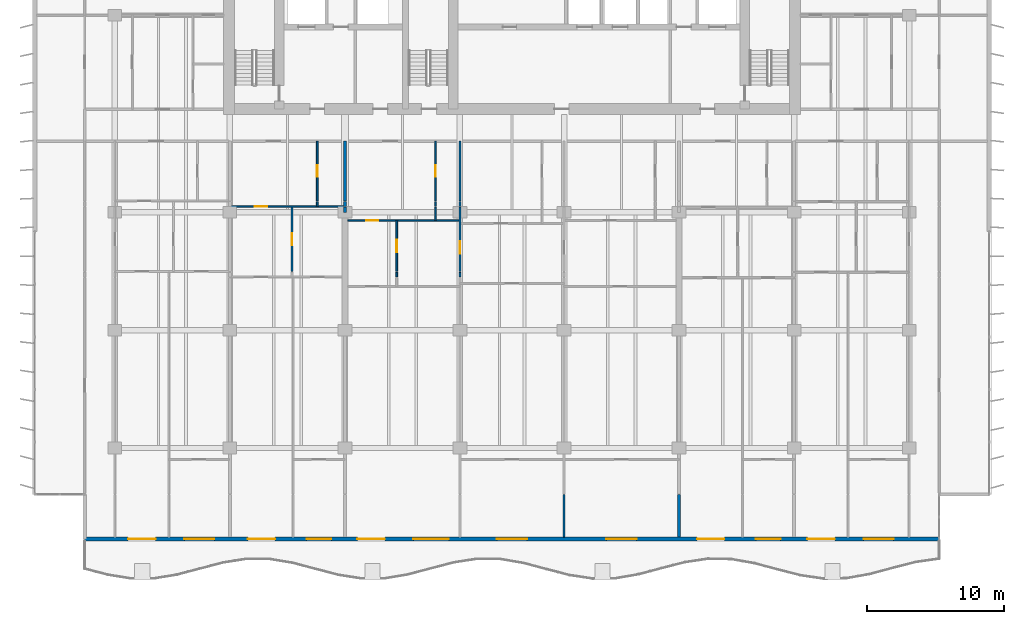
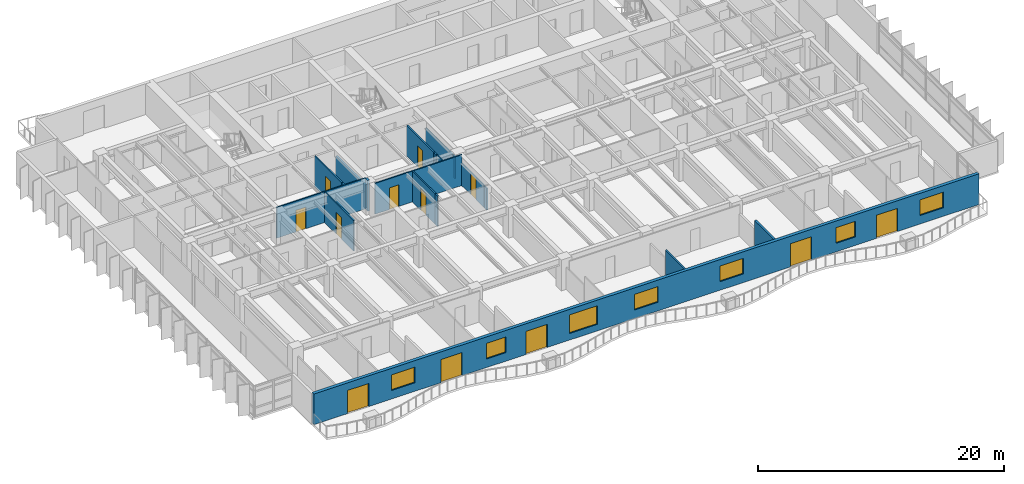
# One storey, part 7 of 16: 20 walls, 12 doors, 7 windows, 19 openings.
"""IFC4 building model written with IfcOpenShell, lengths in metres."""

import ifcopenshell
import ifcopenshell.guid

model = None  # the IFC model being written
_history = None  # IfcOwnerHistory: only IFC2X3 demands one
_inside = {}  # id of a spatial element -> (the spatial element, [elements in it])
_under = {}  # id of a project, library or spatial element -> (it, [spatial elements below it])
_declared = {}  # id of a project -> (the project, [libraries it declares])
_typed = {}  # id of a type object -> (the type object, [elements of that type])
_made_of = {}  # id of a material, layer set ... -> (it, [elements and type objects made of it])


def new_model(schema):
    """Start an empty IFC model of exactly this schema.

    Asked for "IFC4X3", IfcOpenShell would pick the latest addendum, in which some entities
    have other attributes; the version numbers below select the first issue.
    IFC2X3 requires an IfcOwnerHistory on every rooted entity: one is made here for all.
    """
    global model, _history
    if schema == "IFC4X3":
        model = ifcopenshell.file(schema_version=(4, 3, 0, 0))
    else:
        model = ifcopenshell.file(schema=schema)
    _inside.clear()
    _under.clear()
    _declared.clear()
    _typed.clear()
    _made_of.clear()
    _history = None
    if model.schema == "IFC2X3":
        org = make("IfcOrganization", Name="unknown")
        user = make(
            "IfcPersonAndOrganization",
            ThePerson=make("IfcPerson", FamilyName="unknown"),
            TheOrganization=org,
        )
        app = make(
            "IfcApplication",
            ApplicationDeveloper=org,
            Version="unknown",
            ApplicationFullName="unknown",
            ApplicationIdentifier="unknown",
        )
        _history = make(
            "IfcOwnerHistory",
            OwningUser=user,
            OwningApplication=app,
            ChangeAction="ADDED",
            CreationDate=0,
        )
    return model


def make(cls, **values):
    """One entity of the class cls with the attributes given. An attribute that is None is left unset."""
    return model.create_entity(
        cls, **{name: value for name, value in values.items() if value is not None}
    )


def rooted(cls, **values):
    """An entity with a GlobalId (a new one), such as an element, a storey or a relation."""
    return make(cls, GlobalId=ifcopenshell.guid.new(), OwnerHistory=_history, **values)


def si_unit(unit_type, name, prefix=None):
    """IfcSIUnit, for example si_unit("LENGTHUNIT", "METRE", prefix="MILLI")."""
    return make("IfcSIUnit", UnitType=unit_type, Prefix=prefix, Name=name)


def assignment(units):
    """IfcUnitAssignment: the units of a project."""
    return None if units is None else make("IfcUnitAssignment", Units=units)


def point(xyz):
    """IfcCartesianPoint."""
    return None if xyz is None else make("IfcCartesianPoint", Coordinates=xyz)


def direction(xyz):
    """IfcDirection."""
    return None if xyz is None else make("IfcDirection", DirectionRatios=xyz)


def frame(location, z_axis=None, x_axis=None):
    """IfcAxis2Placement3D, a coordinate frame: its origin and axes. An axis left out is left unset."""
    return make(
        "IfcAxis2Placement3D",
        Location=point(location),
        Axis=direction(z_axis),
        RefDirection=direction(x_axis),
    )


def frame_2d(location, x_axis=None):
    """IfcAxis2Placement2D, a coordinate frame in the plane: its origin and x axis."""
    return make(
        "IfcAxis2Placement2D", Location=point(location), RefDirection=direction(x_axis)
    )


def origin():
    """The frame at (0, 0, 0) with its axes left unset."""
    return frame((0.0, 0.0, 0.0))


def place(relative_to, where):
    """IfcLocalPlacement: puts the frame where relative to a parent placement (None: the world)."""
    return make(
        "IfcLocalPlacement", PlacementRelTo=relative_to, RelativePlacement=where
    )


def context(
    kind, dimensions, precision=None, world=None, true_north=None, identifier=None
):
    """IfcGeometricRepresentationContext, for example the 3D "Model" context."""
    return make(
        "IfcGeometricRepresentationContext",
        ContextIdentifier=identifier,
        ContextType=kind,
        CoordinateSpaceDimension=dimensions,
        Precision=precision,
        WorldCoordinateSystem=world,
        TrueNorth=true_north,
    )


def subcontext(parent, identifier, kind, view, scale=None):
    """IfcGeometricRepresentationSubContext, for example "Body" below "Model"."""
    return make(
        "IfcGeometricRepresentationSubContext",
        ContextIdentifier=identifier,
        ContextType=kind,
        ParentContext=parent,
        TargetScale=scale,
        TargetView=view,
    )


def project(units=None, contexts=None):
    """IfcProject with its units and contexts."""
    return rooted(
        "IfcProject",
        Name="project",
        RepresentationContexts=contexts,
        UnitsInContext=assignment(units),
    )


def spatial(cls, under=None, at=None, **own):
    """A site, building, storey or space (cls), placed at a placement, below another one or the project."""
    s = rooted(cls, ObjectPlacement=at, **own)
    if under is not None:
        _under.setdefault(under.id(), (under, []))[1].append(s)
    return s


def profile(cls, at=None, kind="AREA", **sizes):
    """A parametric profile (cls). Its sizes go by their IFC names, for example OverallWidth=200.0."""
    return make(cls, ProfileType=kind, Position=at, **sizes)


def rectangle(**sizes):
    """IfcRectangleProfileDef."""
    return profile("IfcRectangleProfileDef", **sizes)


def extrude(swept, where, along, depth):
    """IfcExtrudedAreaSolid: the profile swept, set in the frame where, extruded along a direction by depth."""
    return make(
        "IfcExtrudedAreaSolid",
        SweptArea=swept,
        Position=where,
        ExtrudedDirection=direction(along),
        Depth=depth,
    )


def shape(context_of_items, identifier, shape_type, items):
    """IfcShapeRepresentation: the items that make up one representation, for example the "Body"."""
    return make(
        "IfcShapeRepresentation",
        ContextOfItems=context_of_items,
        RepresentationIdentifier=identifier,
        RepresentationType=shape_type,
        Items=items,
    )


def material(Name=None, Category=None):
    """IfcMaterial."""
    return make("IfcMaterial", Name=Name, Category=Category)


def layer(
    of_material, thickness, ventilated=None, Name=None, Category=None, Priority=None
):
    """IfcMaterialLayer: one layer of a wall or slab, of a material (None: an air gap)."""
    return make(
        "IfcMaterialLayer",
        Material=of_material,
        LayerThickness=thickness,
        IsVentilated=ventilated,
        Name=Name,
        Category=Category,
        Priority=Priority,
    )


def layer_set(layers, Name=None):
    """IfcMaterialLayerSet."""
    return make("IfcMaterialLayerSet", MaterialLayers=layers, LayerSetName=Name)


def made_of(thing, what):
    """Note that an element or type object is made of a material, layer set ...; save() writes the relation."""
    if what is not None:
        _made_of.setdefault(what.id(), (what, []))[1].append(thing)
    return thing


def type_object(cls, material=None, **own):
    """A type object (cls), such as IfcWallType, which elements share."""
    return made_of(rooted(cls, **own), material)


def element(
    cls,
    number,
    at=None,
    inside=None,
    cuts=None,
    type_object=None,
    material=None,
    context=None,
    identifier="Body",
    shape_type=None,
    held_by="IfcProductDefinitionShape",
    body=None,
    shapes=None,
    **own,
):
    """One element of the class cls, such as IfcWall. Its Tag is "e" and its number.

    at: its placement. inside: the storey or other place that contains it. cuts: it is an
    opening in that element (IfcRelVoidsElement). A single representation is given by context,
    identifier, shape_type and body (its items); several are given by shapes. held_by: the class
    of the entity that holds the representations. save() writes the other relations.
    """
    e = rooted(cls, Tag="e%d" % number, ObjectPlacement=at, **own)
    if body is not None:
        shapes = [shape(context, identifier, shape_type, body)]
    if shapes is not None:
        e.Representation = make(held_by, Representations=shapes)
    if inside is not None:
        _inside.setdefault(inside.id(), (inside, []))[1].append(e)
    if cuts is not None:
        rooted(
            "IfcRelVoidsElement", RelatingBuildingElement=cuts, RelatedOpeningElement=e
        )
    if type_object is not None:
        _typed.setdefault(type_object.id(), (type_object, []))[1].append(e)
    return made_of(e, material)


def fill(opening, filler):
    """IfcRelFillsElement: the door or window that sits in an opening."""
    return rooted(
        "IfcRelFillsElement",
        RelatingOpeningElement=opening,
        RelatedBuildingElement=filler,
    )


def aggregate(whole, parts):
    """IfcRelAggregates: a whole, such as a stair, and the parts it consists of."""
    return rooted("IfcRelAggregates", RelatingObject=whole, RelatedObjects=parts)


def save(model, path):
    """Write the relations noted so far, then the file.

    IfcRelAggregates (storeys below a building ...), IfcRelContainedInSpatialStructure (elements
    in a storey), IfcRelDefinesByType, IfcRelAssociatesMaterial and IfcRelDeclares: one each for
    every whole, place, type object, material and project.
    """
    for whole, parts in _under.values():
        aggregate(whole, parts)
    for where, things in _inside.values():
        rooted(
            "IfcRelContainedInSpatialStructure",
            RelatedElements=things,
            RelatingStructure=where,
        )
    for kind, things in _typed.values():
        rooted("IfcRelDefinesByType", RelatedObjects=things, RelatingType=kind)
    for what, things in _made_of.values():
        rooted("IfcRelAssociatesMaterial", RelatedObjects=things, RelatingMaterial=what)
    for by, libraries in _declared.values():
        rooted("IfcRelDeclares", RelatingContext=by, RelatedDefinitions=libraries)
    model.write(path)


model = new_model("IFC4")

# Units and contexts
model_context = context("Model", 3, precision=1e-05, world=origin(), true_north=direction((0.0, 1.0)))
body_context = subcontext(model_context, "Body", "Model", "MODEL_VIEW")
ifc_project = project(units=[si_unit("LENGTHUNIT", "METRE"), si_unit("AREAUNIT", "SQUARE_METRE"), si_unit("VOLUMEUNIT", "CUBIC_METRE"), si_unit("PLANEANGLEUNIT", "RADIAN"), si_unit("MASSUNIT", "GRAM", prefix="KILO")], contexts=[model_context])

# Site, building, storey
site_placement = place(None, origin())
site = spatial("IfcSite", under=ifc_project, at=site_placement, CompositionType="ELEMENT")
building_placement = place(site_placement, origin())
building = spatial("IfcBuilding", under=site, at=building_placement, Name="Caelmar Bay Residences", CompositionType="ELEMENT")
storey_placement = place(building_placement, frame((0.0, 0.0, 102.60009765625)))
storey = spatial("IfcBuildingStorey", under=building, at=storey_placement, Name="L27", CompositionType="ELEMENT", Elevation=102.60009765625)

# Wall, openings, doors, windows
ifc_material_1 = material(Name="Precast concrete f'c 40 MPa (6,000 psi)", Category="concrete")
ifc_layer_1 = layer(ifc_material_1, 0.300048828125)
ifc_layer_set_1 = layer_set([ifc_layer_1], Name="Precast concrete f'c 40 MPa (6,000 psi)")
wall_type_1 = type_object("IfcWallType", Name="W-EXT-300", PredefinedType="STANDARD", material=ifc_layer_set_1)
wall_1_placement = place(storey_placement, frame((70.10009765625, 5.550048828125, 0.0), z_axis=(0.0, 0.0, 1.0), x_axis=(-1.0, 0.0, 0.0)))
wall_1 = element("IfcWall", 1, at=wall_1_placement, inside=storey, type_object=wall_type_1, Name="L27 South Bayfront Exterior Wall", PredefinedType="STANDARD", context=body_context, shape_type="SweptSolid", body=[
    extrude(rectangle(XDim=62.400146484375, YDim=0.300048828125, at=frame_2d((31.2001953125, 0.0))), origin(), (0.0, 0.0, 1.0), 3.0498046875),
])
opening_1_placement = place(wall_1_placement, frame((57.22607421875, 0.0, 0.0)))
opening_1 = element("IfcOpeningElement", 2, at=opening_1_placement, cuts=wall_1, Name="Opening L27-BD01", PredefinedType="OPENING", context=body_context, shape_type="SweptSolid", body=[
    extrude(rectangle(XDim=2.0, YDim=2.300048828125, at=frame_2d((1.0, 1.14990234375))), frame((0.0, 0.159912109375, 0.0), z_axis=(0.0, -1.0, 0.0), x_axis=(1.0, 0.0, 0.0)), (0.0, 0.0, 1.0), 0.320068359375),
])
opening_2_placement = place(wall_1_placement, frame((52.926025390625, 0.0, 0.85009765625)))
opening_2 = element("IfcOpeningElement", 3, at=opening_2_placement, cuts=wall_1, Name="Opening WN2", PredefinedType="OPENING", context=body_context, shape_type="SweptSolid", body=[
    extrude(rectangle(XDim=2.199951171875, YDim=1.550048828125, at=frame_2d((1.10009765625, 0.77490234375))), frame((0.0, 0.159912109375, 0.0), z_axis=(0.0, -1.0, 0.0), x_axis=(1.0, 0.0, 0.0)), (0.0, 0.0, 1.0), 0.320068359375),
])
opening_3_placement = place(wall_1_placement, frame((48.489990234375, 0.0, 0.0)))
opening_3 = element("IfcOpeningElement", 4, at=opening_3_placement, cuts=wall_1, Name="Opening L27-BD02", PredefinedType="OPENING", context=body_context, shape_type="SweptSolid", body=[
    extrude(rectangle(XDim=2.0, YDim=2.300048828125, at=frame_2d((1.0, 1.14990234375))), frame((0.0, 0.159912109375, 0.0), z_axis=(0.0, -1.0, 0.0), x_axis=(1.0, 0.0, 0.0)), (0.0, 0.0, 1.0), 0.320068359375),
])
opening_4_placement = place(wall_1_placement, frame((44.389892578125, 0.0, 0.85009765625)))
opening_4 = element("IfcOpeningElement", 5, at=opening_4_placement, cuts=wall_1, Name="Opening WN1", PredefinedType="OPENING", context=body_context, shape_type="SweptSolid", body=[
    extrude(rectangle(XDim=1.800048828125, YDim=1.550048828125, at=frame_2d((0.89990234375, 0.77490234375))), frame((0.0, 0.159912109375, 0.0), z_axis=(0.0, -1.0, 0.0), x_axis=(1.0, 0.0, 0.0)), (0.0, 0.0, 1.0), 0.320068359375),
])
opening_5_placement = place(wall_1_placement, frame((40.489990234375, 0.0, 0.0)))
opening_5 = element("IfcOpeningElement", 6, at=opening_5_placement, cuts=wall_1, Name="Opening L27-BD03", PredefinedType="OPENING", context=body_context, shape_type="SweptSolid", body=[
    extrude(rectangle(XDim=2.0, YDim=2.300048828125, at=frame_2d((1.0, 1.14990234375))), frame((0.0, 0.159912109375, 0.0), z_axis=(0.0, -1.0, 0.0), x_axis=(1.0, 0.0, 0.0)), (0.0, 0.0, 1.0), 0.320068359375),
])
opening_6_placement = place(wall_1_placement, frame((35.81005859375, 0.0, 0.64990234375)))
opening_6 = element("IfcOpeningElement", 7, at=opening_6_placement, cuts=wall_1, Name="Opening WN3", PredefinedType="OPENING", context=body_context, shape_type="SweptSolid", body=[
    extrude(rectangle(XDim=2.60009765625, YDim=1.85009765625, at=frame_2d((1.300048828125, 0.925048828125))), frame((0.0, 0.159912109375, 0.0), z_axis=(0.0, -1.0, 0.0), x_axis=(1.0, 0.0, 0.0)), (0.0, 0.0, 1.0), 0.320068359375),
])
opening_7_placement = place(wall_1_placement, frame((30.10009765625, 0.0, 0.85009765625)))
opening_7 = element("IfcOpeningElement", 8, at=opening_7_placement, cuts=wall_1, Name="Opening WN2", PredefinedType="OPENING", context=body_context, shape_type="SweptSolid", body=[
    extrude(rectangle(XDim=2.199951171875, YDim=1.550048828125, at=frame_2d((1.10009765625, 0.77490234375))), frame((0.0, 0.159912109375, 0.0), z_axis=(0.0, -1.0, 0.0), x_axis=(1.0, 0.0, 0.0)), (0.0, 0.0, 1.0), 0.320068359375),
])
opening_8_placement = place(wall_1_placement, frame((22.10009765625, 0.0, 0.85009765625)))
opening_8 = element("IfcOpeningElement", 9, at=opening_8_placement, cuts=wall_1, Name="Opening WN2", PredefinedType="OPENING", context=body_context, shape_type="SweptSolid", body=[
    extrude(rectangle(XDim=2.199951171875, YDim=1.550048828125, at=frame_2d((1.10009765625, 0.77490234375))), frame((0.0, 0.159912109375, 0.0), z_axis=(0.0, -1.0, 0.0), x_axis=(1.0, 0.0, 0.0)), (0.0, 0.0, 1.0), 0.320068359375),
])
opening_9_placement = place(wall_1_placement, frame((15.68994140625, 0.0, 0.0)))
opening_9 = element("IfcOpeningElement", 10, at=opening_9_placement, cuts=wall_1, Name="Opening L27-BD04", PredefinedType="OPENING", context=body_context, shape_type="SweptSolid", body=[
    extrude(rectangle(XDim=2.0, YDim=2.300048828125, at=frame_2d((1.0, 1.14990234375))), frame((0.0, 0.159912109375, 0.0), z_axis=(0.0, -1.0, 0.0), x_axis=(1.0, 0.0, 0.0)), (0.0, 0.0, 1.0), 0.320068359375),
])
opening_10_placement = place(wall_1_placement, frame((11.590087890625, 0.0, 0.85009765625)))
opening_10 = element("IfcOpeningElement", 11, at=opening_10_placement, cuts=wall_1, Name="Opening WN1", PredefinedType="OPENING", context=body_context, shape_type="SweptSolid", body=[
    extrude(rectangle(XDim=1.800048828125, YDim=1.550048828125, at=frame_2d((0.89990234375, 0.77490234375))), frame((0.0, 0.159912109375, 0.0), z_axis=(0.0, -1.0, 0.0), x_axis=(1.0, 0.0, 0.0)), (0.0, 0.0, 1.0), 0.320068359375),
])
opening_11_placement = place(wall_1_placement, frame((7.6259765625, 0.0, 0.0)))
opening_11 = element("IfcOpeningElement", 12, at=opening_11_placement, cuts=wall_1, Name="Opening L27-BD05", PredefinedType="OPENING", context=body_context, shape_type="SweptSolid", body=[
    extrude(rectangle(XDim=2.0, YDim=2.300048828125, at=frame_2d((1.0, 1.14990234375))), frame((0.0, 0.159912109375, 0.0), z_axis=(0.0, -1.0, 0.0), x_axis=(1.0, 0.0, 0.0)), (0.0, 0.0, 1.0), 0.320068359375),
])
opening_12_placement = place(wall_1_placement, frame((3.325927734375, 0.0, 0.85009765625)))
opening_12 = element("IfcOpeningElement", 13, at=opening_12_placement, cuts=wall_1, Name="Opening WN2", PredefinedType="OPENING", context=body_context, shape_type="SweptSolid", body=[
    extrude(rectangle(XDim=2.199951171875, YDim=1.550048828125, at=frame_2d((1.10009765625, 0.77490234375))), frame((0.0, 0.159912109375, 0.0), z_axis=(0.0, -1.0, 0.0), x_axis=(1.0, 0.0, 0.0)), (0.0, 0.0, 1.0), 0.320068359375),
])
ifc_material_2 = material(Name="Anodised bronze thermally broken sliding glass door", Category="glass")
ifc_layer_2 = layer(ifc_material_2, 0.050048828125)
ifc_layer_set_2 = layer_set([ifc_layer_2], Name="Anodised bronze thermally broken sliding glass door")
door_type_1 = type_object("IfcDoorType", Name="D-BAL-2000", OperationType="DOUBLE_DOOR_SLIDING", PredefinedType="DOOR", material=ifc_layer_set_2)
door_1_placement = place(opening_1_placement, origin())
door_1 = element("IfcDoor", 14, at=door_1_placement, inside=storey, type_object=door_type_1, Name="L27 Residence 01 Penthouse Living Salon Balcony Door", OperationType="DOUBLE_DOOR_SLIDING", OverallHeight=2.300048828125, OverallWidth=2.0, PredefinedType="DOOR", context=body_context, shape_type="SweptSolid", body=[
    extrude(rectangle(XDim=2.0, YDim=2.300048828125, at=frame_2d((1.0, 1.14990234375))), frame((0.0, 0.02490234375, 0.0), z_axis=(0.0, -1.0, 0.0), x_axis=(1.0, 0.0, 0.0)), (0.0, 0.0, 1.0), 0.050048828125),
])
fill(opening_1, door_1)
door_2_placement = place(opening_3_placement, origin())
door_2 = element("IfcDoor", 15, at=door_2_placement, inside=storey, type_object=door_type_1, Name="L27 Residence 02 Penthouse Living Salon Balcony Door", OperationType="DOUBLE_DOOR_SLIDING", OverallHeight=2.300048828125, OverallWidth=2.0, PredefinedType="DOOR", context=body_context, shape_type="SweptSolid", body=[
    extrude(rectangle(XDim=2.0, YDim=2.300048828125, at=frame_2d((1.0, 1.14990234375))), frame((0.0, 0.02490234375, 0.0), z_axis=(0.0, -1.0, 0.0), x_axis=(1.0, 0.0, 0.0)), (0.0, 0.0, 1.0), 0.050048828125),
])
fill(opening_3, door_2)
door_3_placement = place(opening_5_placement, origin())
door_3 = element("IfcDoor", 16, at=door_3_placement, inside=storey, type_object=door_type_1, Name="L27 Residence 03 Penthouse Living Salon Balcony Door", OperationType="DOUBLE_DOOR_SLIDING", OverallHeight=2.300048828125, OverallWidth=2.0, PredefinedType="DOOR", context=body_context, shape_type="SweptSolid", body=[
    extrude(rectangle(XDim=2.0, YDim=2.300048828125, at=frame_2d((1.0, 1.14990234375))), frame((0.0, 0.02490234375, 0.0), z_axis=(0.0, -1.0, 0.0), x_axis=(1.0, 0.0, 0.0)), (0.0, 0.0, 1.0), 0.050048828125),
])
fill(opening_5, door_3)
door_4_placement = place(opening_9_placement, origin())
door_4 = element("IfcDoor", 17, at=door_4_placement, inside=storey, type_object=door_type_1, Name="L27 Residence 04 Penthouse Living Salon Balcony Door", OperationType="DOUBLE_DOOR_SLIDING", OverallHeight=2.300048828125, OverallWidth=2.0, PredefinedType="DOOR", context=body_context, shape_type="SweptSolid", body=[
    extrude(rectangle(XDim=2.0, YDim=2.300048828125, at=frame_2d((1.0, 1.14990234375))), frame((0.0, 0.02490234375, 0.0), z_axis=(0.0, -1.0, 0.0), x_axis=(1.0, 0.0, 0.0)), (0.0, 0.0, 1.0), 0.050048828125),
])
fill(opening_9, door_4)
door_5_placement = place(opening_11_placement, origin())
door_5 = element("IfcDoor", 18, at=door_5_placement, inside=storey, type_object=door_type_1, Name="L27 Residence 05 Penthouse Living Salon Balcony Door", OperationType="DOUBLE_DOOR_SLIDING", OverallHeight=2.300048828125, OverallWidth=2.0, PredefinedType="DOOR", context=body_context, shape_type="SweptSolid", body=[
    extrude(rectangle(XDim=2.0, YDim=2.300048828125, at=frame_2d((1.0, 1.14990234375))), frame((0.0, 0.02490234375, 0.0), z_axis=(0.0, -1.0, 0.0), x_axis=(1.0, 0.0, 0.0)), (0.0, 0.0, 1.0), 0.050048828125),
])
fill(opening_11, door_5)
ifc_material_3 = material(Name="Bronze aluminium frame with laminated low-E glass", Category="aluminium")
ifc_layer_3 = layer(ifc_material_3, 0.06005859375)
ifc_layer_set_3 = layer_set([ifc_layer_3], Name="Bronze aluminium frame with laminated low-E glass")
window_type_1 = type_object("IfcWindowType", Name="WIN-BR-1800", PartitioningType="SINGLE_PANEL", PredefinedType="WINDOW", material=ifc_layer_set_3)
window_1_placement = place(opening_4_placement, origin())
window_1 = element("IfcWindow", 19, at=window_1_placement, inside=storey, type_object=window_type_1, Name="L27 Residence 02 Primary Bedroom Window", OverallHeight=1.550048828125, OverallWidth=1.800048828125, PartitioningType="SINGLE_PANEL", PredefinedType="WINDOW", context=body_context, shape_type="SweptSolid", body=[
    extrude(rectangle(XDim=1.800048828125, YDim=1.550048828125, at=frame_2d((0.89990234375, 0.77490234375))), frame((0.0, 0.030029296875, 0.0), z_axis=(0.0, -1.0, 0.0), x_axis=(1.0, 0.0, 0.0)), (0.0, 0.0, 1.0), 0.06005859375),
])
fill(opening_4, window_1)
window_2_placement = place(opening_10_placement, origin())
window_2 = element("IfcWindow", 20, at=window_2_placement, inside=storey, type_object=window_type_1, Name="L27 Residence 04 Primary Bedroom Window", OverallHeight=1.550048828125, OverallWidth=1.800048828125, PartitioningType="SINGLE_PANEL", PredefinedType="WINDOW", context=body_context, shape_type="SweptSolid", body=[
    extrude(rectangle(XDim=1.800048828125, YDim=1.550048828125, at=frame_2d((0.89990234375, 0.77490234375))), frame((0.0, 0.030029296875, 0.0), z_axis=(0.0, -1.0, 0.0), x_axis=(1.0, 0.0, 0.0)), (0.0, 0.0, 1.0), 0.06005859375),
])
fill(opening_10, window_2)
ifc_layer_4 = layer(ifc_material_3, 0.06005859375)
ifc_layer_set_4 = layer_set([ifc_layer_4], Name="Bronze aluminium frame with laminated low-E glass")
window_type_2 = type_object("IfcWindowType", Name="WIN-BR-2200", PartitioningType="SINGLE_PANEL", PredefinedType="WINDOW", material=ifc_layer_set_4)
window_3_placement = place(opening_2_placement, origin())
window_3 = element("IfcWindow", 21, at=window_3_placement, inside=storey, type_object=window_type_2, Name="L27 Residence 01 Primary Bedroom Window", OverallHeight=1.550048828125, OverallWidth=2.199951171875, PartitioningType="SINGLE_PANEL", PredefinedType="WINDOW", context=body_context, shape_type="SweptSolid", body=[
    extrude(rectangle(XDim=2.199951171875, YDim=1.550048828125, at=frame_2d((1.10009765625, 0.77490234375))), frame((0.0, 0.030029296875, 0.0), z_axis=(0.0, -1.0, 0.0), x_axis=(1.0, 0.0, 0.0)), (0.0, 0.0, 1.0), 0.06005859375),
])
fill(opening_2, window_3)
window_4_placement = place(opening_7_placement, origin())
window_4 = element("IfcWindow", 22, at=window_4_placement, inside=storey, type_object=window_type_2, Name="L27 Residence 03 Primary Bedroom 1 Window", OverallHeight=1.550048828125, OverallWidth=2.199951171875, PartitioningType="SINGLE_PANEL", PredefinedType="WINDOW", context=body_context, shape_type="SweptSolid", body=[
    extrude(rectangle(XDim=2.199951171875, YDim=1.550048828125, at=frame_2d((1.10009765625, 0.77490234375))), frame((0.0, 0.030029296875, 0.0), z_axis=(0.0, -1.0, 0.0), x_axis=(1.0, 0.0, 0.0)), (0.0, 0.0, 1.0), 0.06005859375),
])
fill(opening_7, window_4)
window_5_placement = place(opening_8_placement, origin())
window_5 = element("IfcWindow", 23, at=window_5_placement, inside=storey, type_object=window_type_2, Name="L27 Residence 03 Primary Bedroom 2 Window", OverallHeight=1.550048828125, OverallWidth=2.199951171875, PartitioningType="SINGLE_PANEL", PredefinedType="WINDOW", context=body_context, shape_type="SweptSolid", body=[
    extrude(rectangle(XDim=2.199951171875, YDim=1.550048828125, at=frame_2d((1.10009765625, 0.77490234375))), frame((0.0, 0.030029296875, 0.0), z_axis=(0.0, -1.0, 0.0), x_axis=(1.0, 0.0, 0.0)), (0.0, 0.0, 1.0), 0.06005859375),
])
fill(opening_8, window_5)
window_6_placement = place(opening_12_placement, origin())
window_6 = element("IfcWindow", 24, at=window_6_placement, inside=storey, type_object=window_type_2, Name="L27 Residence 05 Primary Bedroom Window", OverallHeight=1.550048828125, OverallWidth=2.199951171875, PartitioningType="SINGLE_PANEL", PredefinedType="WINDOW", context=body_context, shape_type="SweptSolid", body=[
    extrude(rectangle(XDim=2.199951171875, YDim=1.550048828125, at=frame_2d((1.10009765625, 0.77490234375))), frame((0.0, 0.030029296875, 0.0), z_axis=(0.0, -1.0, 0.0), x_axis=(1.0, 0.0, 0.0)), (0.0, 0.0, 1.0), 0.06005859375),
])
fill(opening_12, window_6)
ifc_layer_5 = layer(ifc_material_3, 0.06005859375)
ifc_layer_set_5 = layer_set([ifc_layer_5], Name="Bronze aluminium frame with laminated low-E glass")
window_type_3 = type_object("IfcWindowType", Name="WIN-LIV-2600", PartitioningType="SINGLE_PANEL", PredefinedType="WINDOW", material=ifc_layer_set_5)
window_7_placement = place(opening_6_placement, origin())
window_7 = element("IfcWindow", 25, at=window_7_placement, inside=storey, type_object=window_type_3, Name="L27 Residence 03 Penthouse Living Salon Panoramic Window", OverallHeight=1.85009765625, OverallWidth=2.60009765625, PartitioningType="SINGLE_PANEL", PredefinedType="WINDOW", context=body_context, shape_type="SweptSolid", body=[
    extrude(rectangle(XDim=2.60009765625, YDim=1.85009765625, at=frame_2d((1.300048828125, 0.925048828125))), frame((0.0, 0.030029296875, 0.0), z_axis=(0.0, -1.0, 0.0), x_axis=(1.0, 0.0, 0.0)), (0.0, 0.0, 1.0), 0.06005859375),
])
fill(opening_6, window_7)

# Wall, opening, door
ifc_material_4 = material(Name="Acoustic metal-stud gypsum partition 120 mm")
ifc_layer_6 = layer(ifc_material_4, 0.1201171875)
ifc_layer_set_6 = layer_set([ifc_layer_6], Name="Acoustic metal-stud gypsum partition 120 mm")
wall_type_2 = type_object("IfcWallType", Name="W-PRT-120", PredefinedType="PARTITIONING", material=ifc_layer_set_6)
wall_2_placement = place(storey_placement, frame((22.8359375, 25.090087890625, 0.0), z_axis=(0.0, 0.0, 1.0), x_axis=(0.0, 1.0, 0.0)))
wall_2 = element("IfcWall", 26, at=wall_2_placement, inside=storey, type_object=wall_type_2, Name="L27 Partition Wall V031", PredefinedType="PARTITIONING", context=body_context, shape_type="SweptSolid", body=[
    extrude(rectangle(XDim=4.68994140625, YDim=0.1201171875, at=frame_2d((2.344970703125, 0.0))), origin(), (0.0, 0.0, 1.0), 3.0498046875),
])
opening_13_placement = place(wall_2_placement, frame((1.89501953125, 0.0, 0.0)))
opening_13 = element("IfcOpeningElement", 27, at=opening_13_placement, cuts=wall_2, Name="Opening D-L27-132", PredefinedType="OPENING", context=body_context, shape_type="SweptSolid", body=[
    extrude(rectangle(XDim=0.89990234375, YDim=2.14990234375, at=frame_2d((0.449951171875, 1.074951171875))), frame((0.0, 0.070068359375, 0.0), z_axis=(0.0, -1.0, 0.0), x_axis=(1.0, 0.0, 0.0)), (0.0, 0.0, 1.0), 0.14013671875),
])
ifc_material_5 = material(Name="Solid walnut timber interior door leaf and frame", Category="wood")
ifc_layer_7 = layer(ifc_material_5, 0.050048828125)
ifc_layer_set_7 = layer_set([ifc_layer_7], Name="Solid walnut timber interior door leaf and frame")
door_type_2 = type_object("IfcDoorType", Name="D-ROOM-900", OperationType="NOTDEFINED", PredefinedType="DOOR", material=ifc_layer_set_7)
door_6_placement = place(opening_13_placement, origin())
door_6 = element("IfcDoor", 28, at=door_6_placement, inside=storey, type_object=door_type_2, Name="L27 Residence 02 Formal Dining Room Door", OperationType="SINGLE_SWING_LEFT", OverallHeight=2.14990234375, OverallWidth=0.89990234375, PredefinedType="DOOR", context=body_context, shape_type="SweptSolid", body=[
    extrude(rectangle(XDim=0.89990234375, YDim=2.14990234375, at=frame_2d((0.449951171875, 1.074951171875))), frame((0.0, 0.02490234375, 0.0), z_axis=(0.0, -1.0, 0.0), x_axis=(1.0, 0.0, 0.0)), (0.0, 0.0, 1.0), 0.050048828125),
])
fill(opening_13, door_6)

# Wall
wall_3_placement = place(storey_placement, frame((24.68310546875, 29.840087890625, 0.0), z_axis=(0.0, 0.0, 1.0), x_axis=(0.0, 1.0, 0.0)))
element("IfcWall", 29, at=wall_3_placement, inside=storey, type_object=wall_type_2, Name="L27 Partition Wall V034", PredefinedType="PARTITIONING", context=body_context, shape_type="SweptSolid", body=[
    extrude(rectangle(XDim=0.33984375, YDim=0.1201171875, at=frame_2d((0.169921875, 0.0))), origin(), (0.0, 0.0, 1.0), 3.0498046875),
])

# Wall, opening, door
wall_4_placement = place(storey_placement, frame((24.68310546875, 30.239990234375, 0.0), z_axis=(0.0, 0.0, 1.0), x_axis=(0.0, 1.0, 0.0)))
wall_4 = element("IfcWall", 30, at=wall_4_placement, inside=storey, type_object=wall_type_2, Name="L27 Partition Wall V035", PredefinedType="PARTITIONING", context=body_context, shape_type="SweptSolid", body=[
    extrude(rectangle(XDim=4.360107421875, YDim=0.1201171875, at=frame_2d((2.18017578125, 0.0))), origin(), (0.0, 0.0, 1.0), 3.0498046875),
])
opening_14_placement = place(wall_4_placement, frame((1.7548828125, 0.0, 0.0)))
opening_14 = element("IfcOpeningElement", 31, at=opening_14_placement, cuts=wall_4, Name="Opening D-L27-130", PredefinedType="OPENING", context=body_context, shape_type="SweptSolid", body=[
    extrude(rectangle(XDim=0.85009765625, YDim=2.10009765625, at=frame_2d((0.425048828125, 1.050048828125))), frame((0.0, 0.070068359375, 0.0), z_axis=(0.0, -1.0, 0.0), x_axis=(1.0, 0.0, 0.0)), (0.0, 0.0, 1.0), 0.14013671875),
])
ifc_layer_8 = layer(ifc_material_5, 0.050048828125)
ifc_layer_set_8 = layer_set([ifc_layer_8], Name="Solid walnut timber interior door leaf and frame")
door_type_3 = type_object("IfcDoorType", Name="D-BATH-850", OperationType="NOTDEFINED", PredefinedType="DOOR", material=ifc_layer_set_8)
door_7_placement = place(opening_14_placement, origin())
door_7 = element("IfcDoor", 32, at=door_7_placement, inside=storey, type_object=door_type_3, Name="L27 Residence 02 Bathroom Door", OperationType="SINGLE_SWING_LEFT", OverallHeight=2.10009765625, OverallWidth=0.85009765625, PredefinedType="DOOR", context=body_context, shape_type="SweptSolid", body=[
    extrude(rectangle(XDim=0.85009765625, YDim=2.10009765625, at=frame_2d((0.425048828125, 1.050048828125))), frame((0.0, 0.02490234375, 0.0), z_axis=(0.0, -1.0, 0.0), x_axis=(1.0, 0.0, 0.0)), (0.0, 0.0, 1.0), 0.050048828125),
])
fill(opening_14, door_7)

# Wall
wall_5_placement = place(storey_placement, frame((30.47998046875, 24.68994140625, 0.0), z_axis=(0.0, 0.0, 1.0), x_axis=(0.0, 1.0, 0.0)))
element("IfcWall", 33, at=wall_5_placement, inside=storey, type_object=wall_type_2, Name="L27 Partition Wall V045", PredefinedType="PARTITIONING", context=body_context, shape_type="SweptSolid", body=[
    extrude(rectangle(XDim=0.340087890625, YDim=0.1201171875, at=frame_2d((0.169921875, 0.0))), origin(), (0.0, 0.0, 1.0), 3.0498046875),
])

# Wall, opening, door
wall_6_placement = place(storey_placement, frame((30.47998046875, 25.090087890625, 0.0), z_axis=(0.0, 0.0, 1.0), x_axis=(0.0, 1.0, 0.0)))
wall_6 = element("IfcWall", 34, at=wall_6_placement, inside=storey, type_object=wall_type_2, Name="L27 Partition Wall V046", PredefinedType="PARTITIONING", context=body_context, shape_type="SweptSolid", body=[
    extrude(rectangle(XDim=3.7099609375, YDim=0.1201171875, at=frame_2d((1.85498046875, 0.0))), origin(), (0.0, 0.0, 1.0), 3.0498046875),
])
opening_15_placement = place(wall_6_placement, frame((1.405029296875, 0.0, 0.0)))
opening_15 = element("IfcOpeningElement", 35, at=opening_15_placement, cuts=wall_6, Name="Opening D-L27-139", PredefinedType="OPENING", context=body_context, shape_type="SweptSolid", body=[
    extrude(rectangle(XDim=0.89990234375, YDim=2.14990234375, at=frame_2d((0.449951171875, 1.074951171875))), frame((0.0, 0.070068359375, 0.0), z_axis=(0.0, -1.0, 0.0), x_axis=(1.0, 0.0, 0.0)), (0.0, 0.0, 1.0), 0.14013671875),
])
door_8_placement = place(opening_15_placement, origin())
door_8 = element("IfcDoor", 36, at=door_8_placement, inside=storey, type_object=door_type_2, Name="L27 Residence 03 Kitchen Door", OperationType="SINGLE_SWING_RIGHT", OverallHeight=2.14990234375, OverallWidth=0.89990234375, PredefinedType="DOOR", context=body_context, shape_type="SweptSolid", body=[
    extrude(rectangle(XDim=0.89990234375, YDim=2.14990234375, at=frame_2d((0.449951171875, 1.074951171875))), frame((0.0, 0.02490234375, 0.0), z_axis=(0.0, -1.0, 0.0), x_axis=(1.0, 0.0, 0.0)), (0.0, 0.0, 1.0), 0.050048828125),
])
fill(opening_15, door_8)

# Walls
wall_7_placement = place(storey_placement, frame((33.323974609375, 28.800048828125, 0.0), z_axis=(0.0, 0.0, 1.0), x_axis=(0.0, 1.0, 0.0)))
element("IfcWall", 37, at=wall_7_placement, inside=storey, type_object=wall_type_2, Name="L27 Partition Wall V048", PredefinedType="PARTITIONING", context=body_context, shape_type="SweptSolid", body=[
    extrude(rectangle(XDim=0.97998046875, YDim=0.1201171875, at=frame_2d((0.489990234375, 0.0))), origin(), (0.0, 0.0, 1.0), 3.0498046875),
])
wall_8_placement = place(storey_placement, frame((33.323974609375, 29.840087890625, 0.0), z_axis=(0.0, 0.0, 1.0), x_axis=(0.0, 1.0, 0.0)))
element("IfcWall", 38, at=wall_8_placement, inside=storey, type_object=wall_type_2, Name="L27 Partition Wall V049", PredefinedType="PARTITIONING", context=body_context, shape_type="SweptSolid", body=[
    extrude(rectangle(XDim=0.33984375, YDim=0.1201171875, at=frame_2d((0.169921875, 0.0))), origin(), (0.0, 0.0, 1.0), 3.0498046875),
])

# Wall, opening, door
wall_9_placement = place(storey_placement, frame((33.323974609375, 30.239990234375, 0.0), z_axis=(0.0, 0.0, 1.0), x_axis=(0.0, 1.0, 0.0)))
wall_9 = element("IfcWall", 39, at=wall_9_placement, inside=storey, type_object=wall_type_2, Name="L27 Partition Wall V050", PredefinedType="PARTITIONING", context=body_context, shape_type="SweptSolid", body=[
    extrude(rectangle(XDim=4.360107421875, YDim=0.1201171875, at=frame_2d((2.18017578125, 0.0))), origin(), (0.0, 0.0, 1.0), 3.0498046875),
])
opening_16_placement = place(wall_9_placement, frame((1.7548828125, 0.0, 0.0)))
opening_16 = element("IfcOpeningElement", 40, at=opening_16_placement, cuts=wall_9, Name="Opening D-L27-137", PredefinedType="OPENING", context=body_context, shape_type="SweptSolid", body=[
    extrude(rectangle(XDim=0.85009765625, YDim=2.10009765625, at=frame_2d((0.425048828125, 1.050048828125))), frame((0.0, 0.070068359375, 0.0), z_axis=(0.0, -1.0, 0.0), x_axis=(1.0, 0.0, 0.0)), (0.0, 0.0, 1.0), 0.14013671875),
])
door_9_placement = place(opening_16_placement, origin())
door_9 = element("IfcDoor", 41, at=door_9_placement, inside=storey, type_object=door_type_3, Name="L27 Residence 03 Guest Bathroom Door", OperationType="SINGLE_SWING_RIGHT", OverallHeight=2.10009765625, OverallWidth=0.85009765625, PredefinedType="DOOR", context=body_context, shape_type="SweptSolid", body=[
    extrude(rectangle(XDim=0.85009765625, YDim=2.10009765625, at=frame_2d((0.425048828125, 1.050048828125))), frame((0.0, 0.02490234375, 0.0), z_axis=(0.0, -1.0, 0.0), x_axis=(1.0, 0.0, 0.0)), (0.0, 0.0, 1.0), 0.050048828125),
])
fill(opening_16, door_9)

# Wall
wall_10_placement = place(storey_placement, frame((35.10009765625, 24.68994140625, 0.0), z_axis=(0.0, 0.0, 1.0), x_axis=(0.0, 1.0, 0.0)))
element("IfcWall", 42, at=wall_10_placement, inside=storey, type_object=wall_type_2, Name="L27 Partition Wall V053", PredefinedType="PARTITIONING", context=body_context, shape_type="SweptSolid", body=[
    extrude(rectangle(XDim=0.340087890625, YDim=0.1201171875, at=frame_2d((0.169921875, 0.0))), origin(), (0.0, 0.0, 1.0), 2.173828125),
])

# Wall, opening, door
wall_11_placement = place(storey_placement, frame((35.10009765625, 25.090087890625, 0.0), z_axis=(0.0, 0.0, 1.0), x_axis=(0.0, 1.0, 0.0)))
wall_11 = element("IfcWall", 43, at=wall_11_placement, inside=storey, type_object=wall_type_2, Name="L27 Partition Wall V054", PredefinedType="PARTITIONING", context=body_context, shape_type="SweptSolid", body=[
    extrude(rectangle(XDim=4.68994140625, YDim=0.1201171875, at=frame_2d((2.344970703125, 0.0))), origin(), (0.0, 0.0, 1.0), 2.173828125),
])
opening_17_placement = place(wall_11_placement, frame((1.304931640625, 0.0, 0.0)))
opening_17 = element("IfcOpeningElement", 44, at=opening_17_placement, cuts=wall_11, Name="Opening D-L27-141", PredefinedType="OPENING", context=body_context, shape_type="SweptSolid", body=[
    extrude(rectangle(XDim=0.89990234375, YDim=2.1240234375, at=frame_2d((0.449951171875, 1.06201171875))), frame((0.0, 0.070068359375, 0.0), z_axis=(0.0, -1.0, 0.0), x_axis=(1.0, 0.0, 0.0)), (0.0, 0.0, 1.0), 0.14013671875),
])
door_10_placement = place(opening_17_placement, origin())
door_10 = element("IfcDoor", 45, at=door_10_placement, inside=storey, type_object=door_type_2, Name="L27 Residence 03 Formal Dining Room 1 Door", OperationType="SINGLE_SWING_RIGHT", OverallHeight=2.1240234375, OverallWidth=0.89990234375, PredefinedType="DOOR", context=body_context, shape_type="SweptSolid", body=[
    extrude(rectangle(XDim=0.89990234375, YDim=2.1240234375, at=frame_2d((0.449951171875, 1.06201171875))), frame((0.0, 0.02490234375, 0.0), z_axis=(0.0, -1.0, 0.0), x_axis=(1.0, 0.0, 0.0)), (0.0, 0.0, 1.0), 0.050048828125),
])
fill(opening_17, door_10)

# Walls
wall_12_placement = place(storey_placement, frame((35.10009765625, 29.840087890625, 0.0), z_axis=(0.0, 0.0, 1.0), x_axis=(0.0, 1.0, 0.0)))
element("IfcWall", 46, at=wall_12_placement, inside=storey, type_object=wall_type_2, Name="L27 Partition Wall V055", PredefinedType="PARTITIONING", context=body_context, shape_type="SweptSolid", body=[
    extrude(rectangle(XDim=0.33984375, YDim=0.1201171875, at=frame_2d((0.169921875, 0.0))), origin(), (0.0, 0.0, 1.0), 2.173828125),
])
wall_13_placement = place(storey_placement, frame((35.10009765625, 30.239990234375, 0.0), z_axis=(0.0, 0.0, 1.0), x_axis=(0.0, 1.0, 0.0)))
element("IfcWall", 47, at=wall_13_placement, inside=storey, type_object=wall_type_2, Name="L27 Partition Wall V056", PredefinedType="PARTITIONING", context=body_context, shape_type="SweptSolid", body=[
    extrude(rectangle(XDim=4.360107421875, YDim=0.1201171875, at=frame_2d((2.18017578125, 0.0))), origin(), (0.0, 0.0, 1.0), 2.173828125),
])
wall_14_placement = place(storey_placement, frame((42.699951171875, 5.695068359375, 0.0), z_axis=(0.0, 0.0, 1.0), x_axis=(0.0, 1.0, 0.0)))
element("IfcWall", 48, at=wall_14_placement, inside=storey, type_object=wall_type_2, Name="L27 Partition Wall V061", PredefinedType="PARTITIONING", context=body_context, shape_type="SweptSolid", body=[
    extrude(rectangle(XDim=3.10498046875, YDim=0.1201171875, at=frame_2d((1.552490234375, 0.0))), origin(), (0.0, 0.0, 1.0), 3.0498046875),
])

# Wall, opening, door
wall_15_placement = place(storey_placement, frame((26.919921875, 28.800048828125, 0.0), z_axis=(0.0, 0.0, 1.0), x_axis=(1.0, 0.0, 0.0)))
wall_15 = element("IfcWall", 49, at=wall_15_placement, inside=storey, type_object=wall_type_2, Name="L27 Partition Wall H131", PredefinedType="PARTITIONING", context=body_context, shape_type="SweptSolid", body=[
    extrude(rectangle(XDim=8.175048828125, YDim=0.1201171875, at=frame_2d((4.08740234375, 0.0))), origin(), (0.0, 0.0, 1.0), 3.0498046875),
])
opening_18_placement = place(wall_15_placement, frame((1.330078125, 0.0, 0.0)))
opening_18 = element("IfcOpeningElement", 50, at=opening_18_placement, cuts=wall_15, Name="Opening D-L27-138", PredefinedType="OPENING", context=body_context, shape_type="SweptSolid", body=[
    extrude(rectangle(XDim=0.89990234375, YDim=2.14990234375, at=frame_2d((0.449951171875, 1.074951171875))), frame((0.0, 0.070068359375, 0.0), z_axis=(0.0, -1.0, 0.0), x_axis=(1.0, 0.0, 0.0)), (0.0, 0.0, 1.0), 0.14013671875),
])
door_11_placement = place(opening_18_placement, origin())
door_11 = element("IfcDoor", 51, at=door_11_placement, inside=storey, type_object=door_type_2, Name="L27 Residence 03 Dining Room Door", OperationType="SINGLE_SWING_LEFT", OverallHeight=2.14990234375, OverallWidth=0.89990234375, PredefinedType="DOOR", context=body_context, shape_type="SweptSolid", body=[
    extrude(rectangle(XDim=0.89990234375, YDim=2.14990234375, at=frame_2d((0.449951171875, 1.074951171875))), frame((0.0, 0.02490234375, 0.0), z_axis=(0.0, -1.0, 0.0), x_axis=(1.0, 0.0, 0.0)), (0.0, 0.0, 1.0), 0.050048828125),
])
fill(opening_18, door_11)

wall_16_placement = place(storey_placement, frame((18.300048828125, 29.840087890625, 0.0), z_axis=(0.0, 0.0, 1.0), x_axis=(1.0, 0.0, 0.0)))
wall_16 = element("IfcWall", 52, at=wall_16_placement, inside=storey, type_object=wall_type_2, Name="L27 Partition Wall H134", PredefinedType="PARTITIONING", context=body_context, shape_type="SweptSolid", body=[
    extrude(rectangle(XDim=8.39990234375, YDim=0.1201171875, at=frame_2d((4.199951171875, 0.0))), origin(), (0.0, 0.0, 1.0), 3.0498046875),
])
opening_19_placement = place(wall_16_placement, frame((1.818115234375, 0.0, 0.0)))
opening_19 = element("IfcOpeningElement", 53, at=opening_19_placement, cuts=wall_16, Name="Opening D-L27-131", PredefinedType="OPENING", context=body_context, shape_type="SweptSolid", body=[
    extrude(rectangle(XDim=0.89990234375, YDim=2.14990234375, at=frame_2d((0.449951171875, 1.074951171875))), frame((0.0, 0.070068359375, 0.0), z_axis=(0.0, -1.0, 0.0), x_axis=(1.0, 0.0, 0.0)), (0.0, 0.0, 1.0), 0.14013671875),
])
door_12_placement = place(opening_19_placement, origin())
door_12 = element("IfcDoor", 54, at=door_12_placement, inside=storey, type_object=door_type_2, Name="L27 Residence 02 Kitchen Door", OperationType="SINGLE_SWING_RIGHT", OverallHeight=2.14990234375, OverallWidth=0.89990234375, PredefinedType="DOOR", context=body_context, shape_type="SweptSolid", body=[
    extrude(rectangle(XDim=0.89990234375, YDim=2.14990234375, at=frame_2d((0.449951171875, 1.074951171875))), frame((0.0, 0.02490234375, 0.0), z_axis=(0.0, -1.0, 0.0), x_axis=(1.0, 0.0, 0.0)), (0.0, 0.0, 1.0), 0.050048828125),
])
fill(opening_19, door_12)

# Walls
ifc_material_6 = material(Name="Acoustic twin-stud fire-rated inter-tenancy partition 200 mm")
ifc_layer_9 = layer(ifc_material_6, 0.199951171875)
ifc_layer_set_9 = layer_set([ifc_layer_9], Name="Acoustic twin-stud fire-rated inter-tenancy partition 200 mm")
wall_type_3 = type_object("IfcWallType", Name="W-PTY-200", PredefinedType="PARTITIONING", material=ifc_layer_set_9)
wall_17_placement = place(storey_placement, frame((26.699951171875, 29.405029296875, 0.0), z_axis=(0.0, 0.0, 1.0), x_axis=(0.0, 1.0, 0.0)))
element("IfcWall", 55, at=wall_17_placement, inside=storey, type_object=wall_type_3, Name="L27 Partition Wall V039", PredefinedType="PARTITIONING", context=body_context, shape_type="SweptSolid", body=[
    extrude(rectangle(XDim=0.375, YDim=0.199951171875, at=frame_2d((0.1875, 0.0))), origin(), (0.0, 0.0, 1.0), 3.0498046875),
])
wall_18_placement = place(storey_placement, frame((26.699951171875, 29.840087890625, 0.0), z_axis=(0.0, 0.0, 1.0), x_axis=(0.0, 1.0, 0.0)))
element("IfcWall", 56, at=wall_18_placement, inside=storey, type_object=wall_type_3, Name="L27 Partition Wall V040", PredefinedType="PARTITIONING", context=body_context, shape_type="SweptSolid", body=[
    extrude(rectangle(XDim=0.33984375, YDim=0.199951171875, at=frame_2d((0.169921875, 0.0))), origin(), (0.0, 0.0, 1.0), 2.3349609375),
])
wall_19_placement = place(storey_placement, frame((26.699951171875, 30.239990234375, 0.0), z_axis=(0.0, 0.0, 1.0), x_axis=(0.0, 1.0, 0.0)))
element("IfcWall", 57, at=wall_19_placement, inside=storey, type_object=wall_type_3, Name="L27 Partition Wall V041", PredefinedType="PARTITIONING", context=body_context, shape_type="SweptSolid", body=[
    extrude(rectangle(XDim=4.360107421875, YDim=0.199951171875, at=frame_2d((2.18017578125, 0.0))), origin(), (0.0, 0.0, 1.0), 2.3349609375),
])
wall_20_placement = place(storey_placement, frame((51.10009765625, 5.695068359375, 0.0), z_axis=(0.0, 0.0, 1.0), x_axis=(0.0, 1.0, 0.0)))
element("IfcWall", 58, at=wall_20_placement, inside=storey, type_object=wall_type_3, Name="L27 Partition Wall V077", PredefinedType="PARTITIONING", context=body_context, shape_type="SweptSolid", body=[
    extrude(rectangle(XDim=3.10498046875, YDim=0.199951171875, at=frame_2d((1.552490234375, 0.0))), origin(), (0.0, 0.0, 1.0), 3.0498046875),
])

save(model, "model.ifc")
